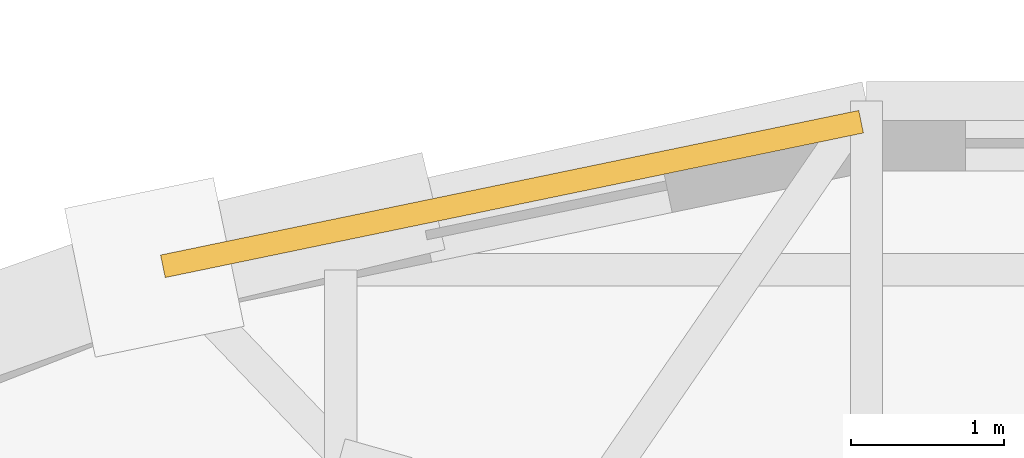
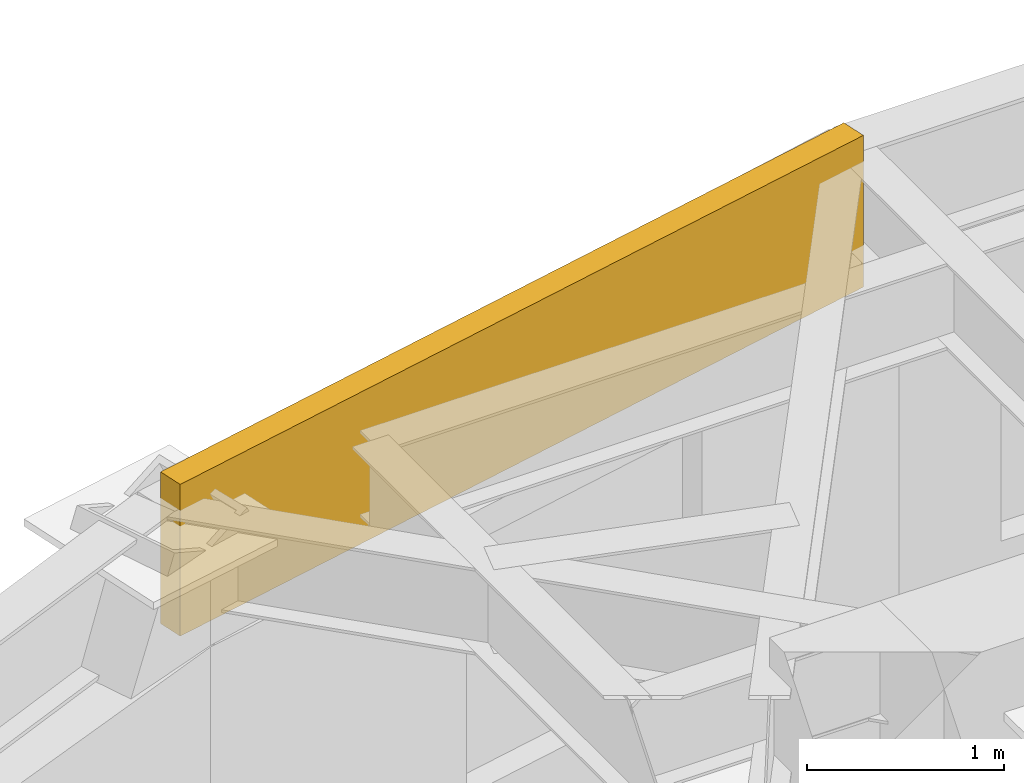
# One storey, part 14 of 14: 1 covering.
"""IFC4 building model written with IfcOpenShell, lengths in metres."""

from ifc_helpers import new_model, si_unit, direction, frame, origin, origin_2d, place, context, subcontext, project, spatial, rectangle, extrude, material, layer, layer_set, type_object, element, save


model = new_model("IFC4")

# Units and contexts
model_context = context("Model", 3, precision=1e-05, world=origin(), true_north=direction((0.0, 1.0)))
body_context = subcontext(model_context, "Body", "Model", "MODEL_VIEW")
ifc_project = project(units=[si_unit("LENGTHUNIT", "METRE"), si_unit("AREAUNIT", "SQUARE_METRE"), si_unit("VOLUMEUNIT", "CUBIC_METRE"), si_unit("PLANEANGLEUNIT", "RADIAN"), si_unit("MASSUNIT", "GRAM", prefix="KILO")], contexts=[model_context])

# Site, building, storey
site_placement = place(None, origin())
site = spatial("IfcSite", under=ifc_project, at=site_placement, CompositionType="ELEMENT")
building_placement = place(site_placement, origin())
building = spatial("IfcBuilding", under=site, at=building_placement, Name="Keldmark Tower", CompositionType="ELEMENT")
storey_placement = place(building_placement, frame((0.0, 0.0, 182.199951171875)))
storey = spatial("IfcBuildingStorey", under=building, at=storey_placement, Name="L50", CompositionType="ELEMENT", Elevation=182.199951171875)

# Covering
ifc_material = material(Name="Honed Kasota Buff Dolomitic Limestone", Category="masonry")
ifc_layer = layer(ifc_material, 0.074951171875)
ifc_layer_set = layer_set([ifc_layer], Name="Honed Kasota Buff Dolomitic Limestone")
covering_type = type_object("IfcCoveringType", Name="Kasota Buff Limestone Spandrel Cladding Band", PredefinedType="CLADDING", material=ifc_layer_set)
covering_placement = place(storey_placement, frame((-4.764404296875, 16.289306640625, 2.239013671875), z_axis=(0.0, 0.0, 1.0), x_axis=(-0.979222810622, -0.202787295357, 0.0)))
element("IfcCovering", 1, at=covering_placement, inside=storey, type_object=covering_type, Name="L50 Kasota Limestone Spandrel Band 09", PredefinedType="CLADDING", context=body_context, shape_type="SweptSolid", body=[
    extrude(rectangle(XDim=4.6474609375, YDim=0.14990234375, at=origin_2d()), origin(), (0.0, 0.0, 1.0), 0.94091796875),
])

save(model, "model.ifc")
